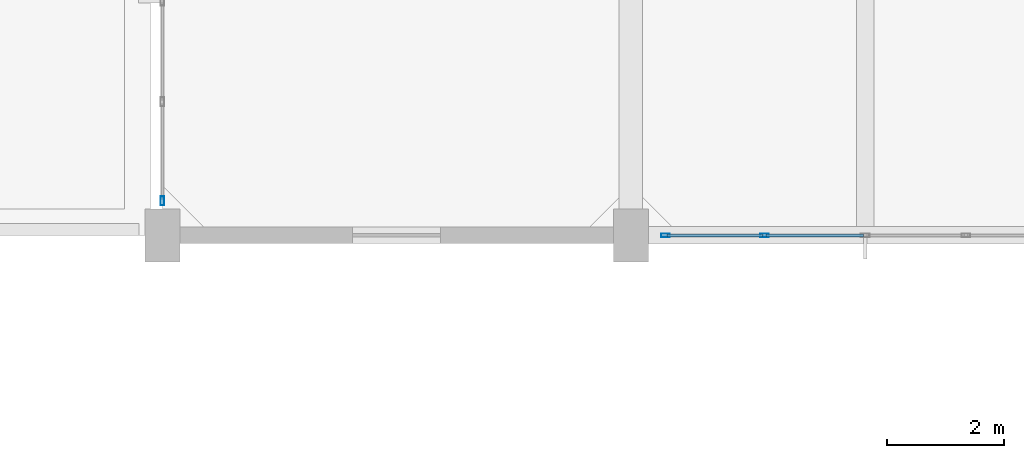
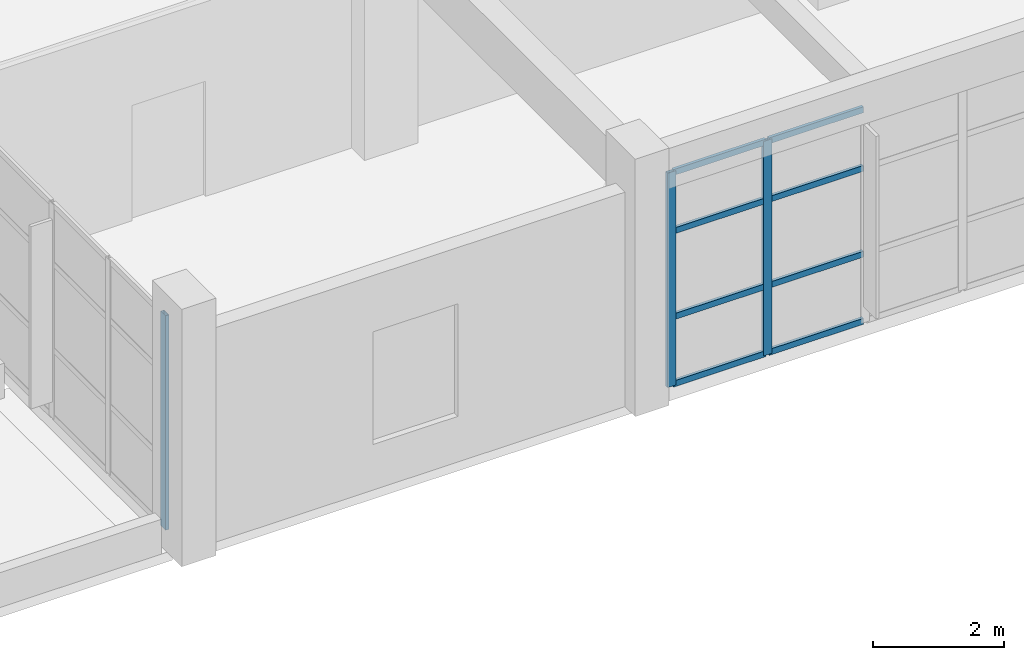
# One storey, part 10 of 63: 11 members, 2 elements without a shape of their own.
"""IFC4 building model written with IfcOpenShell, lengths in metres."""

from ifc_helpers import new_model, si_unit, direction, frame, origin, origin_2d, place, context, subcontext, project, spatial, hollow_rectangle, extrude, material, layer, layer_set, material_profile, profile_set, type_object, element, aggregate, save


model = new_model("IFC4")

# Units and contexts
model_context = context("Model", 3, precision=1e-05, world=origin(), true_north=direction((0.0, 1.0)))
body_context = subcontext(model_context, "Body", "Model", "MODEL_VIEW")
ifc_project = project(units=[si_unit("LENGTHUNIT", "METRE"), si_unit("AREAUNIT", "SQUARE_METRE"), si_unit("VOLUMEUNIT", "CUBIC_METRE"), si_unit("PLANEANGLEUNIT", "RADIAN"), si_unit("MASSUNIT", "GRAM", prefix="KILO")], contexts=[model_context])

# Site, building, storey
site_placement = place(None, origin())
site = spatial("IfcSite", under=ifc_project, at=site_placement, CompositionType="ELEMENT")
building_placement = place(site_placement, origin())
building = spatial("IfcBuilding", under=site, at=building_placement, Name="Canggui Botanical Conservatory", CompositionType="ELEMENT")
storey_placement = place(building_placement, frame((0.0, 0.0, 10.199951171875)))
storey = spatial("IfcBuildingStorey", under=building, at=storey_placement, Name="L03", CompositionType="ELEMENT", Elevation=10.199951171875)

# Curtain wall, members
ifc_material = material(Name="Thermally Broken Aluminium", Category="aluminium")
ifc_layer = layer(ifc_material, 0.14990234375, Name="Thermally Broken Aluminium", Category="aluminium")
ifc_layer_set = layer_set([ifc_layer], Name="Thermally Broken Aluminium")
curtain_wall_type = type_object("IfcCurtainWallType", Name="CW-UNIT-C", PredefinedType="USERDEFINED", material=ifc_layer_set)
curtain_wall_1_placement = place(storey_placement, origin())
curtain_wall_1 = element("IfcCurtainWall", 1, at=curtain_wall_1_placement, inside=storey, type_object=curtain_wall_type, Name="Facade Curtain Wall CW-TWR-L03-05", ObjectType="UNITISED CURTAIN WALL", PredefinedType="USERDEFINED")
ifc_material_profile_1 = material_profile(ifc_material, hollow_rectangle(XDim=0.06005859375, YDim=0.14990234375, WallThickness=0.00341796875, at=origin_2d()), Name="CWM 60x150x3.5")
ifc_profile_set_1 = profile_set([ifc_material_profile_1], Name="Thermally Broken Aluminium")
member_type_1 = type_object("IfcMemberType", Name="CWM-03", PredefinedType="MULLION", material=ifc_profile_set_1)
member_1_placement = place(storey_placement, frame((140.280029296875, 26.0, 0.0), z_axis=(0.0, 0.0, 1.0), x_axis=(0.0, -1.0, 0.0)))
member_1 = element("IfcMember", 2, at=member_1_placement, type_object=member_type_1, Name="CW-03 mullion 4", PredefinedType="MULLION", context=body_context, shape_type="SweptSolid", body=[
    extrude(hollow_rectangle(XDim=0.06005859375, YDim=0.14990234375, WallThickness=0.00341796875, at=origin_2d()), origin(), (0.0, 0.0, 1.0), 4.0),
])
member_2_placement = place(storey_placement, frame((138.590087890625, 26.0, 0.0), z_axis=(0.0, 0.0, 1.0), x_axis=(0.0, -1.0, 0.0)))
member_2 = element("IfcMember", 3, at=member_2_placement, type_object=member_type_1, Name="CW-03 mullion 5", PredefinedType="MULLION", context=body_context, shape_type="SweptSolid", body=[
    extrude(hollow_rectangle(XDim=0.06005859375, YDim=0.14990234375, WallThickness=0.00341796875, at=origin_2d()), origin(), (0.0, 0.0, 1.0), 4.0),
])

# Curtain wall, member
curtain_wall_2_placement = place(storey_placement, origin())
curtain_wall_2 = element("IfcCurtainWall", 4, at=curtain_wall_2_placement, inside=storey, type_object=curtain_wall_type, Name="Facade Curtain Wall CW-TWR-L03-07", ObjectType="UNITISED CURTAIN WALL", PredefinedType="USERDEFINED")
member_3_placement = place(storey_placement, frame((130.0, 26.590087890625, 0.0), z_axis=(0.0, 0.0, 1.0), x_axis=(-1.0, 0.0, 0.0)))
member_3 = element("IfcMember", 5, at=member_3_placement, type_object=member_type_1, Name="CW-03 mullion 1", PredefinedType="MULLION", context=body_context, shape_type="SweptSolid", body=[
    extrude(hollow_rectangle(XDim=0.06005859375, YDim=0.14990234375, WallThickness=0.00341796875, at=origin_2d()), origin(), (0.0, 0.0, 1.0), 4.0),
])
aggregate(curtain_wall_2, [member_3])

# Member
ifc_material_profile_2 = material_profile(ifc_material, hollow_rectangle(XDim=0.054931640625, YDim=0.110107421875, WallThickness=0.0029296875, at=origin_2d()), Name="CWT 55x110x3")
ifc_profile_set_2 = profile_set([ifc_material_profile_2], Name="Thermally Broken Aluminium")
member_type_2 = type_object("IfcMemberType", Name="CWT-03", PredefinedType="USERDEFINED", material=ifc_profile_set_2)
member_4_placement = place(storey_placement, frame((141.969970703125, 26.0, 0.027587890625), z_axis=(-1.0, 0.0, 0.0), x_axis=(0.0, -1.0, 0.0)))
member_4 = element("IfcMember", 6, at=member_4_placement, type_object=member_type_2, Name="CW-03 transom 3.1", ObjectType="TRANSOM", PredefinedType="USERDEFINED", context=body_context, shape_type="SweptSolid", body=[
    extrude(hollow_rectangle(XDim=0.054931640625, YDim=0.110107421875, WallThickness=0.0029296875, at=origin_2d()), origin(), (0.0, 0.0, 1.0), 1.659912109375),
])

member_5_placement = place(storey_placement, frame((141.969970703125, 26.0, 1.280029296875), z_axis=(-1.0, 0.0, 0.0), x_axis=(0.0, -1.0, 0.0)))
member_5 = element("IfcMember", 7, at=member_5_placement, type_object=member_type_2, Name="CW-03 transom 3.2", ObjectType="TRANSOM", PredefinedType="USERDEFINED", context=body_context, shape_type="SweptSolid", body=[
    extrude(hollow_rectangle(XDim=0.054931640625, YDim=0.110107421875, WallThickness=0.0029296875, at=origin_2d()), origin(), (0.0, 0.0, 1.0), 1.659912109375),
])

member_6_placement = place(storey_placement, frame((141.969970703125, 26.0, 2.880126953125), z_axis=(-1.0, 0.0, 0.0), x_axis=(0.0, -1.0, 0.0)))
member_6 = element("IfcMember", 8, at=member_6_placement, type_object=member_type_2, Name="CW-03 transom 3.3", ObjectType="TRANSOM", PredefinedType="USERDEFINED", context=body_context, shape_type="SweptSolid", body=[
    extrude(hollow_rectangle(XDim=0.054931640625, YDim=0.110107421875, WallThickness=0.0029296875, at=origin_2d()), origin(), (0.0, 0.0, 1.0), 1.659912109375),
])

member_7_placement = place(storey_placement, frame((141.969970703125, 26.0, 3.97265625), z_axis=(-1.0, 0.0, 0.0), x_axis=(0.0, -1.0, 0.0)))
member_7 = element("IfcMember", 9, at=member_7_placement, type_object=member_type_2, Name="CW-03 transom 3.4", ObjectType="TRANSOM", PredefinedType="USERDEFINED", context=body_context, shape_type="SweptSolid", body=[
    extrude(hollow_rectangle(XDim=0.054931640625, YDim=0.110107421875, WallThickness=0.0029296875, at=origin_2d()), origin(), (0.0, 0.0, 1.0), 1.659912109375),
])

member_8_placement = place(storey_placement, frame((140.25, 26.0, 0.027587890625), z_axis=(-1.0, 0.0, 0.0), x_axis=(0.0, -1.0, 0.0)))
member_8 = element("IfcMember", 10, at=member_8_placement, type_object=member_type_2, Name="CW-03 transom 4.1", ObjectType="TRANSOM", PredefinedType="USERDEFINED", context=body_context, shape_type="SweptSolid", body=[
    extrude(hollow_rectangle(XDim=0.054931640625, YDim=0.110107421875, WallThickness=0.0029296875, at=origin_2d()), origin(), (0.0, 0.0, 1.0), 1.6298828125),
])

member_9_placement = place(storey_placement, frame((140.25, 26.0, 1.280029296875), z_axis=(-1.0, 0.0, 0.0), x_axis=(0.0, -1.0, 0.0)))
member_9 = element("IfcMember", 11, at=member_9_placement, type_object=member_type_2, Name="CW-03 transom 4.2", ObjectType="TRANSOM", PredefinedType="USERDEFINED", context=body_context, shape_type="SweptSolid", body=[
    extrude(hollow_rectangle(XDim=0.054931640625, YDim=0.110107421875, WallThickness=0.0029296875, at=origin_2d()), origin(), (0.0, 0.0, 1.0), 1.6298828125),
])

member_10_placement = place(storey_placement, frame((140.25, 26.0, 2.880126953125), z_axis=(-1.0, 0.0, 0.0), x_axis=(0.0, -1.0, 0.0)))
member_10 = element("IfcMember", 12, at=member_10_placement, type_object=member_type_2, Name="CW-03 transom 4.3", ObjectType="TRANSOM", PredefinedType="USERDEFINED", context=body_context, shape_type="SweptSolid", body=[
    extrude(hollow_rectangle(XDim=0.054931640625, YDim=0.110107421875, WallThickness=0.0029296875, at=origin_2d()), origin(), (0.0, 0.0, 1.0), 1.6298828125),
])

member_11_placement = place(storey_placement, frame((140.25, 26.0, 3.97265625), z_axis=(-1.0, 0.0, 0.0), x_axis=(0.0, -1.0, 0.0)))
member_11 = element("IfcMember", 13, at=member_11_placement, type_object=member_type_2, Name="CW-03 transom 4.4", ObjectType="TRANSOM", PredefinedType="USERDEFINED", context=body_context, shape_type="SweptSolid", body=[
    extrude(hollow_rectangle(XDim=0.054931640625, YDim=0.110107421875, WallThickness=0.0029296875, at=origin_2d()), origin(), (0.0, 0.0, 1.0), 1.6298828125),
])

aggregate(curtain_wall_1, [member_1, member_2, member_4, member_5, member_6, member_7, member_8, member_9, member_10, member_11])

save(model, "model.ifc")
